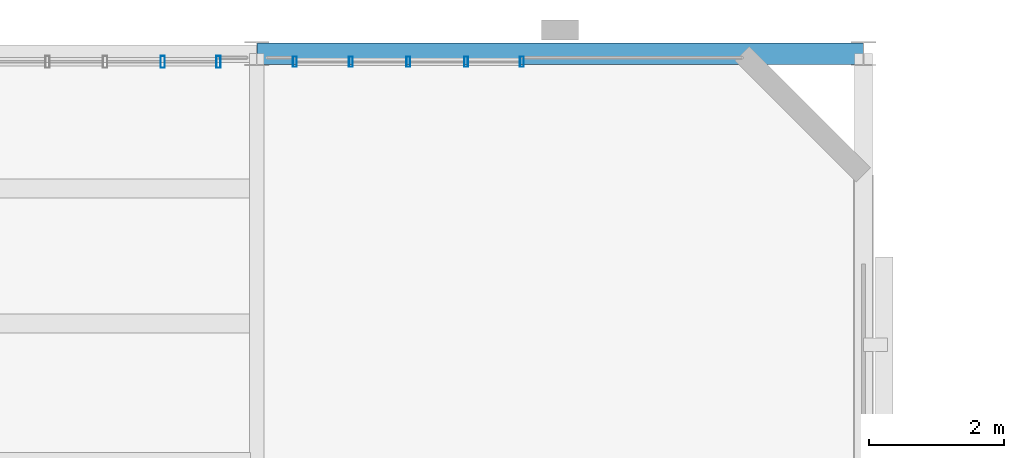
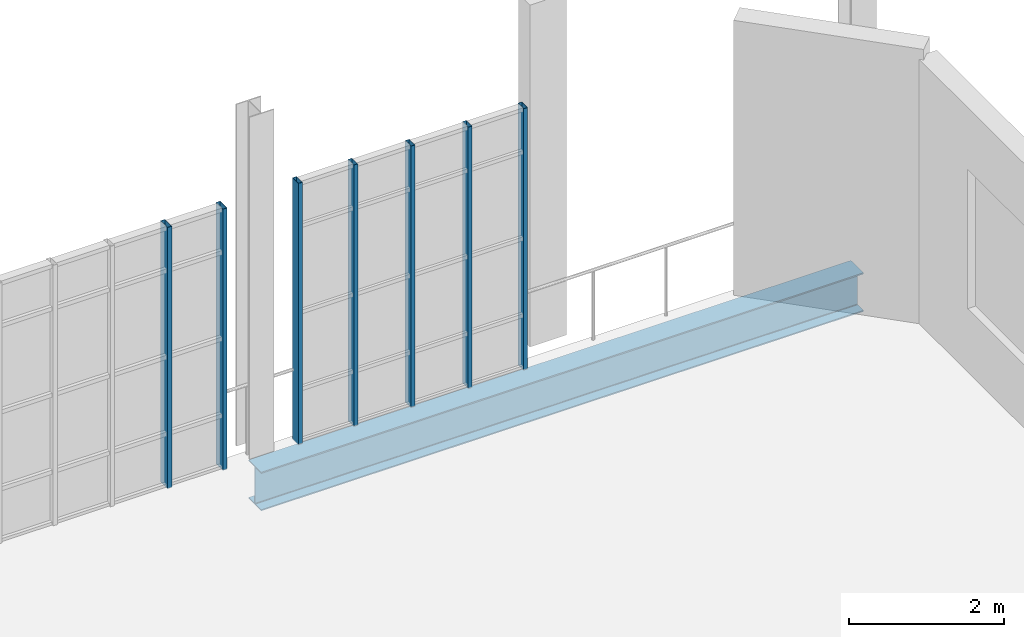
# One storey, part 70 of 142: 7 members, 1 beam, 2 elements without a shape of their own.
"""IFC4 building model written with IfcOpenShell, lengths in metres."""

from ifc_helpers import new_model, si_unit, direction, frame, origin, origin_2d, place, context, subcontext, project, spatial, hollow_rectangle, i_section, extrude, material, layer, layer_set, material_profile, profile_set, type_object, element, aggregate, save


model = new_model("IFC4")

# Units and contexts
model_context = context("Model", 3, precision=1e-05, world=origin(), true_north=direction((0.0, 1.0)))
body_context = subcontext(model_context, "Body", "Model", "MODEL_VIEW")
ifc_project = project(units=[si_unit("LENGTHUNIT", "METRE"), si_unit("AREAUNIT", "SQUARE_METRE"), si_unit("VOLUMEUNIT", "CUBIC_METRE"), si_unit("PLANEANGLEUNIT", "RADIAN"), si_unit("MASSUNIT", "GRAM", prefix="KILO"), si_unit("THERMODYNAMICTEMPERATUREUNIT", "KELVIN"), si_unit("POWERUNIT", "WATT")], contexts=[model_context])

# Site, building, storey
site_placement = place(None, origin())
site = spatial("IfcSite", under=ifc_project, at=site_placement, CompositionType="ELEMENT")
building_placement = place(site_placement, origin())
building = spatial("IfcBuilding", under=site, at=building_placement, Name="Zelmaris Science Centre", CompositionType="ELEMENT")
storey_placement = place(building_placement, frame((0.0, 0.0, 5.39990234375)))
storey = spatial("IfcBuildingStorey", under=building, at=storey_placement, Name="L01", CompositionType="ELEMENT", Elevation=5.39990234375)

# Curtain wall, members
ifc_material_1 = material(Name="Anodised architectural aluminium 6063-T6", Category="aluminium")
ifc_layer_1 = layer(ifc_material_1, 0.219970703125, Name="Anodised architectural aluminium 6063-T6")
ifc_layer_set_1 = layer_set([ifc_layer_1], Name="Anodised architectural aluminium 6063-T6")
curtain_wall_type_1 = type_object("IfcCurtainWallType", Name="Curtain Wall CW-04", PredefinedType="USERDEFINED", material=ifc_layer_set_1)
curtain_wall_1_placement = place(storey_placement, origin())
curtain_wall_1 = element("IfcCurtainWall", 1, at=curtain_wall_1_placement, inside=storey, type_object=curtain_wall_type_1, Name="L01 Unitised curtain wall 140", ObjectType="GLAZED CURTAIN WALL", PredefinedType="USERDEFINED")
ifc_material_profile_1 = material_profile(ifc_material_1, hollow_rectangle(XDim=0.06005859375, YDim=0.14990234375, WallThickness=0.00341796875, at=origin_2d()), Name="ALU-MUL-60X150")
ifc_profile_set_1 = profile_set([ifc_material_profile_1], Name="Anodised architectural aluminium 6063-T6")
member_type_1 = type_object("IfcMemberType", Name="ALU-MUL-60X150", PredefinedType="MULLION", material=ifc_profile_set_1)
member_1_placement = place(storey_placement, frame((99.56591796875, 87.8798828125, -0.014892578125), z_axis=(0.0, 0.0, 1.0), x_axis=(1.0, 0.0, 0.0)))
member_1 = element("IfcMember", 2, at=member_1_placement, type_object=member_type_1, Name="CW-04 mullion 1", PredefinedType="MULLION", context=body_context, shape_type="SweptSolid", body=[
    extrude(hollow_rectangle(XDim=0.06005859375, YDim=0.14990234375, WallThickness=0.00341796875, at=origin_2d()), origin(), (0.0, 0.0, 1.0), 4.12890625),
])
member_2_placement = place(storey_placement, frame((100.39501953125, 87.8798828125, -0.014892578125), z_axis=(0.0, 0.0, 1.0), x_axis=(1.0, 0.0, 0.0)))
member_2 = element("IfcMember", 3, at=member_2_placement, type_object=member_type_1, Name="CW-04 mullion 2", PredefinedType="MULLION", context=body_context, shape_type="SweptSolid", body=[
    extrude(hollow_rectangle(XDim=0.06005859375, YDim=0.14990234375, WallThickness=0.00341796875, at=origin_2d()), origin(), (0.0, 0.0, 1.0), 4.12890625),
])
member_3_placement = place(storey_placement, frame((101.25, 87.8798828125, -0.014892578125), z_axis=(0.0, 0.0, 1.0), x_axis=(1.0, 0.0, 0.0)))
member_3 = element("IfcMember", 4, at=member_3_placement, type_object=member_type_1, Name="CW-04 mullion 3", PredefinedType="MULLION", context=body_context, shape_type="SweptSolid", body=[
    extrude(hollow_rectangle(XDim=0.06005859375, YDim=0.14990234375, WallThickness=0.00341796875, at=origin_2d()), origin(), (0.0, 0.0, 1.0), 4.12890625),
])
member_4_placement = place(storey_placement, frame((102.10498046875, 87.8798828125, -0.014892578125), z_axis=(0.0, 0.0, 1.0), x_axis=(1.0, 0.0, 0.0)))
member_4 = element("IfcMember", 5, at=member_4_placement, type_object=member_type_1, Name="CW-04 mullion 4", PredefinedType="MULLION", context=body_context, shape_type="SweptSolid", body=[
    extrude(hollow_rectangle(XDim=0.06005859375, YDim=0.14990234375, WallThickness=0.00341796875, at=origin_2d()), origin(), (0.0, 0.0, 1.0), 4.12890625),
])
member_5_placement = place(storey_placement, frame((102.93408203125, 87.8798828125, -0.014892578125), z_axis=(0.0, 0.0, 1.0), x_axis=(1.0, 0.0, 0.0)))
member_5 = element("IfcMember", 6, at=member_5_placement, type_object=member_type_1, Name="CW-04 mullion 5", PredefinedType="MULLION", context=body_context, shape_type="SweptSolid", body=[
    extrude(hollow_rectangle(XDim=0.06005859375, YDim=0.14990234375, WallThickness=0.00341796875, at=origin_2d()), origin(), (0.0, 0.0, 1.0), 4.12890625),
])
aggregate(curtain_wall_1, [member_1, member_2, member_3, member_4, member_5])

ifc_layer_2 = layer(ifc_material_1, 0.2099609375, Name="Anodised architectural aluminium 6063-T6")
ifc_layer_set_2 = layer_set([ifc_layer_2], Name="Anodised architectural aluminium 6063-T6")
curtain_wall_type_2 = type_object("IfcCurtainWallType", Name="Curtain Wall CW-03", PredefinedType="USERDEFINED", material=ifc_layer_set_2)
curtain_wall_2_placement = place(storey_placement, origin())
curtain_wall_2 = element("IfcCurtainWall", 7, at=curtain_wall_2_placement, inside=storey, type_object=curtain_wall_type_2, Name="L01 Unitised curtain wall 139", ObjectType="GLAZED CURTAIN WALL", PredefinedType="USERDEFINED")
ifc_material_profile_2 = material_profile(ifc_material_1, hollow_rectangle(XDim=0.06494140625, YDim=0.179931640625, WallThickness=0.00390625, at=origin_2d()), Name="ALU-MUL-65X180")
ifc_profile_set_2 = profile_set([ifc_material_profile_2], Name="Anodised architectural aluminium 6063-T6")
member_type_2 = type_object("IfcMemberType", Name="ALU-MUL-65X180", PredefinedType="MULLION", material=ifc_profile_set_2)
member_6_placement = place(storey_placement, frame((97.60498046875, 87.8798828125, -0.014892578125), z_axis=(0.0, 0.0, 1.0), x_axis=(1.0, 0.0, 0.0)))
member_6 = element("IfcMember", 8, at=member_6_placement, type_object=member_type_2, Name="CW-03 mullion 4", PredefinedType="MULLION", context=body_context, shape_type="SweptSolid", body=[
    extrude(hollow_rectangle(XDim=0.06494140625, YDim=0.179931640625, WallThickness=0.00390625, at=origin_2d()), origin(), (0.0, 0.0, 1.0), 4.12890625),
])
member_7_placement = place(storey_placement, frame((98.431396484375, 87.8798828125, -0.014892578125), z_axis=(0.0, 0.0, 1.0), x_axis=(1.0, 0.0, 0.0)))
member_7 = element("IfcMember", 9, at=member_7_placement, type_object=member_type_2, Name="CW-03 mullion 5", PredefinedType="MULLION", context=body_context, shape_type="SweptSolid", body=[
    extrude(hollow_rectangle(XDim=0.06494140625, YDim=0.179931640625, WallThickness=0.00390625, at=origin_2d()), origin(), (0.0, 0.0, 1.0), 4.12890625),
])
aggregate(curtain_wall_2, [member_6, member_7])

# Beam
ifc_material_2 = material(Name="Steel ASTM A992 Grade 50", Category="steel")
ifc_material_profile_3 = material_profile(ifc_material_2, i_section(OverallWidth=0.324951171875, OverallDepth=0.612060546875, WebThickness=0.0126953125, FlangeThickness=0.01904296875, FilletRadius=0.014892578125, at=origin_2d()), Name="W24X104")
ifc_profile_set_3 = profile_set([ifc_material_profile_3], Name="Steel ASTM A992 Grade 50")
beam_type = type_object("IfcBeamType", Name="Beam G-15 W24X104", PredefinedType="BEAM", material=ifc_profile_set_3)
beam_placement = place(storey_placement, frame((99.0, 88.0, -0.5859375), z_axis=(1.0, 0.0, 0.0), x_axis=(0.0, 1.0, 0.0)))
element("IfcBeam", 10, at=beam_placement, inside=storey, type_object=beam_type, Name="L01 East-west girder 411", PredefinedType="BEAM", context=body_context, shape_type="SweptSolid", body=[
    extrude(i_section(OverallWidth=0.324951171875, OverallDepth=0.612060546875, WebThickness=0.0126953125, FlangeThickness=0.01904296875, FilletRadius=0.014892578125, at=origin_2d()), origin(), (0.0, 0.0, 1.0), 9.0),
])

save(model, "model.ifc")
